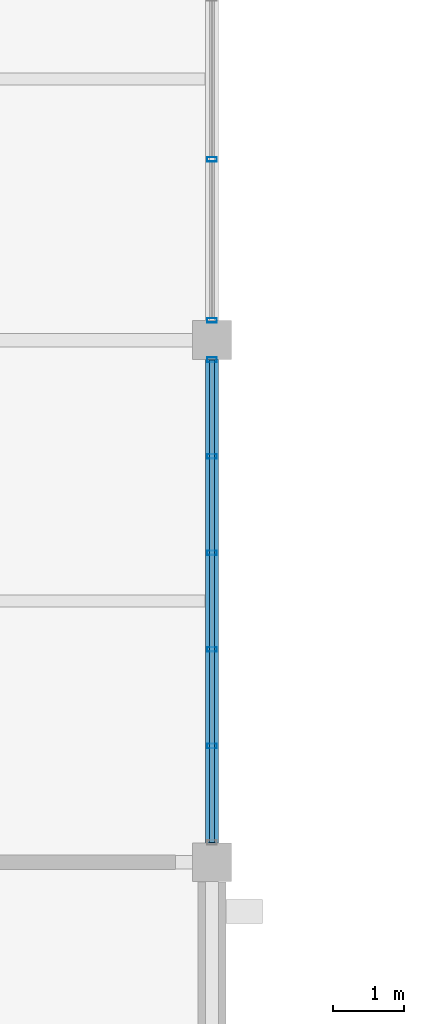
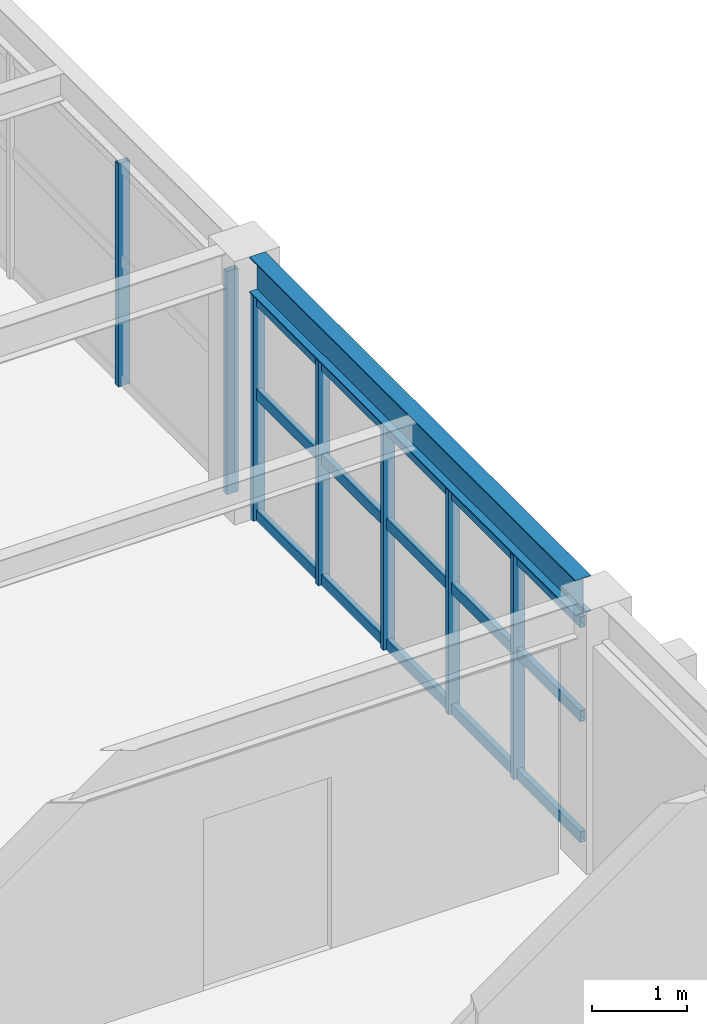
# One storey, part 15 of 93: 10 members, 1 beam, 2 elements without a shape of their own.
"""IFC4 building model written with IfcOpenShell, lengths in metres."""

import ifcopenshell
import ifcopenshell.guid

model = None  # the IFC model being written
_history = None  # IfcOwnerHistory: only IFC2X3 demands one
_inside = {}  # id of a spatial element -> (the spatial element, [elements in it])
_under = {}  # id of a project, library or spatial element -> (it, [spatial elements below it])
_declared = {}  # id of a project -> (the project, [libraries it declares])
_typed = {}  # id of a type object -> (the type object, [elements of that type])
_made_of = {}  # id of a material, layer set ... -> (it, [elements and type objects made of it])


def new_model(schema):
    """Start an empty IFC model of exactly this schema.

    Asked for "IFC4X3", IfcOpenShell would pick the latest addendum, in which some entities
    have other attributes; the version numbers below select the first issue.
    IFC2X3 requires an IfcOwnerHistory on every rooted entity: one is made here for all.
    """
    global model, _history
    if schema == "IFC4X3":
        model = ifcopenshell.file(schema_version=(4, 3, 0, 0))
    else:
        model = ifcopenshell.file(schema=schema)
    _inside.clear()
    _under.clear()
    _declared.clear()
    _typed.clear()
    _made_of.clear()
    _history = None
    if model.schema == "IFC2X3":
        org = make("IfcOrganization", Name="unknown")
        user = make(
            "IfcPersonAndOrganization",
            ThePerson=make("IfcPerson", FamilyName="unknown"),
            TheOrganization=org,
        )
        app = make(
            "IfcApplication",
            ApplicationDeveloper=org,
            Version="unknown",
            ApplicationFullName="unknown",
            ApplicationIdentifier="unknown",
        )
        _history = make(
            "IfcOwnerHistory",
            OwningUser=user,
            OwningApplication=app,
            ChangeAction="ADDED",
            CreationDate=0,
        )
    return model


def make(cls, **values):
    """One entity of the class cls with the attributes given. An attribute that is None is left unset."""
    return model.create_entity(
        cls, **{name: value for name, value in values.items() if value is not None}
    )


def rooted(cls, **values):
    """An entity with a GlobalId (a new one), such as an element, a storey or a relation."""
    return make(cls, GlobalId=ifcopenshell.guid.new(), OwnerHistory=_history, **values)


def si_unit(unit_type, name, prefix=None):
    """IfcSIUnit, for example si_unit("LENGTHUNIT", "METRE", prefix="MILLI")."""
    return make("IfcSIUnit", UnitType=unit_type, Prefix=prefix, Name=name)


def assignment(units):
    """IfcUnitAssignment: the units of a project."""
    return None if units is None else make("IfcUnitAssignment", Units=units)


def point(xyz):
    """IfcCartesianPoint."""
    return None if xyz is None else make("IfcCartesianPoint", Coordinates=xyz)


def direction(xyz):
    """IfcDirection."""
    return None if xyz is None else make("IfcDirection", DirectionRatios=xyz)


def frame(location, z_axis=None, x_axis=None):
    """IfcAxis2Placement3D, a coordinate frame: its origin and axes. An axis left out is left unset."""
    return make(
        "IfcAxis2Placement3D",
        Location=point(location),
        Axis=direction(z_axis),
        RefDirection=direction(x_axis),
    )


def frame_2d(location, x_axis=None):
    """IfcAxis2Placement2D, a coordinate frame in the plane: its origin and x axis."""
    return make(
        "IfcAxis2Placement2D", Location=point(location), RefDirection=direction(x_axis)
    )


def origin():
    """The frame at (0, 0, 0) with its axes left unset."""
    return frame((0.0, 0.0, 0.0))


def origin_2d():
    """The frame at (0, 0) in the plane with its x axis left unset."""
    return frame_2d((0.0, 0.0))


def place(relative_to, where):
    """IfcLocalPlacement: puts the frame where relative to a parent placement (None: the world)."""
    return make(
        "IfcLocalPlacement", PlacementRelTo=relative_to, RelativePlacement=where
    )


def context(
    kind, dimensions, precision=None, world=None, true_north=None, identifier=None
):
    """IfcGeometricRepresentationContext, for example the 3D "Model" context."""
    return make(
        "IfcGeometricRepresentationContext",
        ContextIdentifier=identifier,
        ContextType=kind,
        CoordinateSpaceDimension=dimensions,
        Precision=precision,
        WorldCoordinateSystem=world,
        TrueNorth=true_north,
    )


def subcontext(parent, identifier, kind, view, scale=None):
    """IfcGeometricRepresentationSubContext, for example "Body" below "Model"."""
    return make(
        "IfcGeometricRepresentationSubContext",
        ContextIdentifier=identifier,
        ContextType=kind,
        ParentContext=parent,
        TargetScale=scale,
        TargetView=view,
    )


def project(units=None, contexts=None):
    """IfcProject with its units and contexts."""
    return rooted(
        "IfcProject",
        Name="project",
        RepresentationContexts=contexts,
        UnitsInContext=assignment(units),
    )


def spatial(cls, under=None, at=None, **own):
    """A site, building, storey or space (cls), placed at a placement, below another one or the project."""
    s = rooted(cls, ObjectPlacement=at, **own)
    if under is not None:
        _under.setdefault(under.id(), (under, []))[1].append(s)
    return s


def profile(cls, at=None, kind="AREA", **sizes):
    """A parametric profile (cls). Its sizes go by their IFC names, for example OverallWidth=200.0."""
    return make(cls, ProfileType=kind, Position=at, **sizes)


def hollow_rectangle(**sizes):
    """IfcRectangleHollowProfileDef."""
    return profile("IfcRectangleHollowProfileDef", **sizes)


def i_section(**sizes):
    """IfcIShapeProfileDef."""
    return profile("IfcIShapeProfileDef", **sizes)


def extrude(swept, where, along, depth):
    """IfcExtrudedAreaSolid: the profile swept, set in the frame where, extruded along a direction by depth."""
    return make(
        "IfcExtrudedAreaSolid",
        SweptArea=swept,
        Position=where,
        ExtrudedDirection=direction(along),
        Depth=depth,
    )


def shape(context_of_items, identifier, shape_type, items):
    """IfcShapeRepresentation: the items that make up one representation, for example the "Body"."""
    return make(
        "IfcShapeRepresentation",
        ContextOfItems=context_of_items,
        RepresentationIdentifier=identifier,
        RepresentationType=shape_type,
        Items=items,
    )


def material(Name=None, Category=None):
    """IfcMaterial."""
    return make("IfcMaterial", Name=Name, Category=Category)


def material_profile(
    of_material, cross_section, Name=None, Category=None, Priority=None
):
    """IfcMaterialProfile: a cross section and its material."""
    return make(
        "IfcMaterialProfile",
        Name=Name,
        Material=of_material,
        Profile=cross_section,
        Priority=Priority,
        Category=Category,
    )


def profile_set(profiles, Name=None, composite=None):
    """IfcMaterialProfileSet."""
    return make(
        "IfcMaterialProfileSet",
        Name=Name,
        MaterialProfiles=profiles,
        CompositeProfile=composite,
    )


def made_of(thing, what):
    """Note that an element or type object is made of a material, layer set ...; save() writes the relation."""
    if what is not None:
        _made_of.setdefault(what.id(), (what, []))[1].append(thing)
    return thing


def type_object(cls, material=None, **own):
    """A type object (cls), such as IfcWallType, which elements share."""
    return made_of(rooted(cls, **own), material)


def element(
    cls,
    number,
    at=None,
    inside=None,
    cuts=None,
    type_object=None,
    material=None,
    context=None,
    identifier="Body",
    shape_type=None,
    held_by="IfcProductDefinitionShape",
    body=None,
    shapes=None,
    **own,
):
    """One element of the class cls, such as IfcWall. Its Tag is "e" and its number.

    at: its placement. inside: the storey or other place that contains it. cuts: it is an
    opening in that element (IfcRelVoidsElement). A single representation is given by context,
    identifier, shape_type and body (its items); several are given by shapes. held_by: the class
    of the entity that holds the representations. save() writes the other relations.
    """
    e = rooted(cls, Tag="e%d" % number, ObjectPlacement=at, **own)
    if body is not None:
        shapes = [shape(context, identifier, shape_type, body)]
    if shapes is not None:
        e.Representation = make(held_by, Representations=shapes)
    if inside is not None:
        _inside.setdefault(inside.id(), (inside, []))[1].append(e)
    if cuts is not None:
        rooted(
            "IfcRelVoidsElement", RelatingBuildingElement=cuts, RelatedOpeningElement=e
        )
    if type_object is not None:
        _typed.setdefault(type_object.id(), (type_object, []))[1].append(e)
    return made_of(e, material)


def aggregate(whole, parts):
    """IfcRelAggregates: a whole, such as a stair, and the parts it consists of."""
    return rooted("IfcRelAggregates", RelatingObject=whole, RelatedObjects=parts)


def save(model, path):
    """Write the relations noted so far, then the file.

    IfcRelAggregates (storeys below a building ...), IfcRelContainedInSpatialStructure (elements
    in a storey), IfcRelDefinesByType, IfcRelAssociatesMaterial and IfcRelDeclares: one each for
    every whole, place, type object, material and project.
    """
    for whole, parts in _under.values():
        aggregate(whole, parts)
    for where, things in _inside.values():
        rooted(
            "IfcRelContainedInSpatialStructure",
            RelatedElements=things,
            RelatingStructure=where,
        )
    for kind, things in _typed.values():
        rooted("IfcRelDefinesByType", RelatedObjects=things, RelatingType=kind)
    for what, things in _made_of.values():
        rooted("IfcRelAssociatesMaterial", RelatedObjects=things, RelatingMaterial=what)
    for by, libraries in _declared.values():
        rooted("IfcRelDeclares", RelatingContext=by, RelatedDefinitions=libraries)
    model.write(path)


model = new_model("IFC4")

# Units and contexts
model_context = context("Model", 3, precision=1e-05, world=origin(), true_north=direction((0.0, 1.0)))
body_context = subcontext(model_context, "Body", "Model", "MODEL_VIEW")
ifc_project = project(units=[si_unit("LENGTHUNIT", "METRE"), si_unit("AREAUNIT", "SQUARE_METRE"), si_unit("VOLUMEUNIT", "CUBIC_METRE"), si_unit("PLANEANGLEUNIT", "RADIAN"), si_unit("MASSUNIT", "GRAM", prefix="KILO")], contexts=[model_context])

# Site, building, storey
site_placement = place(None, origin())
site = spatial("IfcSite", under=ifc_project, at=site_placement, CompositionType="ELEMENT")
building_placement = place(site_placement, origin())
building = spatial("IfcBuilding", under=site, at=building_placement, Name="Cimatlan Art Gallery", CompositionType="ELEMENT")
storey_placement = place(building_placement, frame((0.0, 0.0, 13.800048828125)))
storey = spatial("IfcBuildingStorey", under=building, at=storey_placement, Name="L03", CompositionType="ELEMENT", Elevation=13.800048828125)

# Beam
ifc_material_1 = material(Name="Steel ASTM A992 Grade 50", Category="steel")
ifc_material_profile_1 = material_profile(ifc_material_1, i_section(OverallWidth=0.19091796875, OverallDepth=0.45703125, WebThickness=0.009033203125, FlangeThickness=0.014404296875, at=origin_2d()), Name="W18X50")
ifc_profile_set_1 = profile_set([ifc_material_profile_1], Name="Steel ASTM A992 Grade 50")
beam_type = type_object("IfcBeamType", Name="BM-STL-W18X50", PredefinedType="BEAM", material=ifc_profile_set_1)
beam_placement = place(storey_placement, frame((50.60009765625, 38.97509765625, 3.1513671875), z_axis=(0.0, 1.0, 0.0), x_axis=(-1.0, 0.0, 0.0)))
element("IfcBeam", 1, at=beam_placement, inside=storey, type_object=beam_type, Name="BM-Y-L03-06-05", PredefinedType="BEAM", context=body_context, shape_type="SweptSolid", body=[
    extrude(i_section(OverallWidth=0.19091796875, OverallDepth=0.45703125, WebThickness=0.009033203125, FlangeThickness=0.014404296875, at=origin_2d()), origin(), (0.0, 0.0, 1.0), 6.849853515625),
])

# Curtain wall, members
ifc_material_2 = material(Name="Anodised bronze unitised curtain wall")
curtain_wall_type_1 = type_object("IfcCurtainWallType", Name="CW-V-06842X02878-B5", PredefinedType="NOTDEFINED", material=ifc_material_2)
curtain_wall_1_placement = place(storey_placement, origin())
curtain_wall_1 = element("IfcCurtainWall", 2, at=curtain_wall_1_placement, inside=storey, type_object=curtain_wall_type_1, Name="CW-L03-05-05-E", PredefinedType="NOTDEFINED")
ifc_material_3 = material(Name="Anodised bronze aluminium 6063-T6", Category="aluminium")
ifc_material_profile_2 = material_profile(ifc_material_3, hollow_rectangle(XDim=0.06494140625, YDim=0.139892578125, WallThickness=0.00390625, at=origin_2d()), Name="ALU65X140X4")
ifc_profile_set_2 = profile_set([ifc_material_profile_2], Name="Anodised bronze aluminium 6063-T6")
member_type_1 = type_object("IfcMemberType", Name="CW-MUL-140", PredefinedType="MULLION", material=ifc_profile_set_2)
member_1_placement = place(storey_placement, frame((50.60009765625, 45.821044921875, 0.0), z_axis=(0.0, 0.0, 1.0), x_axis=(0.0, 1.0, 0.0)))
member_1 = element("IfcMember", 3, at=member_1_placement, type_object=member_type_1, Name="CW-L03-05-05-E-M1", PredefinedType="MULLION", context=body_context, shape_type="SweptSolid", body=[
    extrude(hollow_rectangle(XDim=0.06494140625, YDim=0.139892578125, WallThickness=0.00390625, at=origin_2d()), origin(), (0.0, 0.0, 1.0), 2.8779296875),
])
member_2_placement = place(storey_placement, frame((50.60009765625, 44.45263671875, 0.0), z_axis=(0.0, 0.0, 1.0), x_axis=(0.0, 1.0, 0.0)))
member_2 = element("IfcMember", 4, at=member_2_placement, type_object=member_type_1, Name="CW-L03-05-05-E-M2", PredefinedType="MULLION", context=body_context, shape_type="SweptSolid", body=[
    extrude(hollow_rectangle(XDim=0.06494140625, YDim=0.139892578125, WallThickness=0.00390625, at=origin_2d()), origin(), (0.0, 0.0, 1.0), 2.8779296875),
])
member_3_placement = place(storey_placement, frame((50.60009765625, 43.084228515625, 0.0), z_axis=(0.0, 0.0, 1.0), x_axis=(0.0, 1.0, 0.0)))
member_3 = element("IfcMember", 5, at=member_3_placement, type_object=member_type_1, Name="CW-L03-05-05-E-M3", PredefinedType="MULLION", context=body_context, shape_type="SweptSolid", body=[
    extrude(hollow_rectangle(XDim=0.06494140625, YDim=0.139892578125, WallThickness=0.00390625, at=origin_2d()), origin(), (0.0, 0.0, 1.0), 2.8779296875),
])
member_4_placement = place(storey_placement, frame((50.60009765625, 41.7158203125, 0.0), z_axis=(0.0, 0.0, 1.0), x_axis=(0.0, 1.0, 0.0)))
member_4 = element("IfcMember", 6, at=member_4_placement, type_object=member_type_1, Name="CW-L03-05-05-E-M4", PredefinedType="MULLION", context=body_context, shape_type="SweptSolid", body=[
    extrude(hollow_rectangle(XDim=0.06494140625, YDim=0.139892578125, WallThickness=0.00390625, at=origin_2d()), origin(), (0.0, 0.0, 1.0), 2.8779296875),
])
member_5_placement = place(storey_placement, frame((50.60009765625, 40.347412109375, 0.0), z_axis=(0.0, 0.0, 1.0), x_axis=(0.0, 1.0, 0.0)))
member_5 = element("IfcMember", 7, at=member_5_placement, type_object=member_type_1, Name="CW-L03-05-05-E-M5", PredefinedType="MULLION", context=body_context, shape_type="SweptSolid", body=[
    extrude(hollow_rectangle(XDim=0.06494140625, YDim=0.139892578125, WallThickness=0.00390625, at=origin_2d()), origin(), (0.0, 0.0, 1.0), 2.8779296875),
])

curtain_wall_type_2 = type_object("IfcCurtainWallType", Name="CW-V-06842X02863-B3", PredefinedType="NOTDEFINED", material=ifc_material_2)
curtain_wall_2_placement = place(storey_placement, origin())
curtain_wall_2 = element("IfcCurtainWall", 8, at=curtain_wall_2_placement, inside=storey, type_object=curtain_wall_type_2, Name="CW-L03-05-06-E", PredefinedType="NOTDEFINED")
member_6_placement = place(storey_placement, frame((50.60009765625, 48.65966796875, 0.0), z_axis=(0.0, 0.0, 1.0), x_axis=(0.0, 1.0, 0.0)))
member_6 = element("IfcMember", 9, at=member_6_placement, type_object=member_type_1, Name="CW-L03-05-06-E-M3", PredefinedType="MULLION", context=body_context, shape_type="SweptSolid", body=[
    extrude(hollow_rectangle(XDim=0.06494140625, YDim=0.139892578125, WallThickness=0.00390625, at=origin_2d()), origin(), (0.0, 0.0, 1.0), 2.863037109375),
])
member_7_placement = place(storey_placement, frame((50.60009765625, 46.37890625, 0.0), z_axis=(0.0, 0.0, 1.0), x_axis=(0.0, 1.0, 0.0)))
member_7 = element("IfcMember", 10, at=member_7_placement, type_object=member_type_1, Name="CW-L03-05-06-E-M4", PredefinedType="MULLION", context=body_context, shape_type="SweptSolid", body=[
    extrude(hollow_rectangle(XDim=0.06494140625, YDim=0.139892578125, WallThickness=0.00390625, at=origin_2d()), origin(), (0.0, 0.0, 1.0), 2.863037109375),
])
aggregate(curtain_wall_2, [member_6, member_7])

# Member
ifc_material_profile_3 = material_profile(ifc_material_3, hollow_rectangle(XDim=0.06494140625, YDim=0.139892578125, WallThickness=0.00390625, at=origin_2d()), Name="ALU65X140X4")
ifc_profile_set_3 = profile_set([ifc_material_profile_3], Name="Anodised bronze aluminium 6063-T6")
member_type_2 = type_object("IfcMemberType", Name="CW-TRN-140", PredefinedType="USERDEFINED", material=ifc_profile_set_3)
member_8_placement = place(storey_placement, frame((50.60009765625, 45.821044921875, 0.06005859375), z_axis=(0.0, -1.0, 0.0), x_axis=(1.0, 0.0, 0.0)))
member_8 = element("IfcMember", 11, at=member_8_placement, type_object=member_type_2, Name="CW-L03-05-05-E-T1", ObjectType="TRANSOM", PredefinedType="USERDEFINED", context=body_context, shape_type="SweptSolid", body=[
    extrude(hollow_rectangle(XDim=0.06494140625, YDim=0.139892578125, WallThickness=0.00390625, at=origin_2d()), origin(), (0.0, 0.0, 1.0), 6.842041015625),
])

member_9_placement = place(storey_placement, frame((50.60009765625, 45.821044921875, 1.611572265625), z_axis=(0.0, -1.0, 0.0), x_axis=(1.0, 0.0, 0.0)))
member_9 = element("IfcMember", 12, at=member_9_placement, type_object=member_type_2, Name="CW-L03-05-05-E-T2", ObjectType="TRANSOM", PredefinedType="USERDEFINED", context=body_context, shape_type="SweptSolid", body=[
    extrude(hollow_rectangle(XDim=0.06494140625, YDim=0.139892578125, WallThickness=0.00390625, at=origin_2d()), origin(), (0.0, 0.0, 1.0), 6.842041015625),
])

member_10_placement = place(storey_placement, frame((50.60009765625, 45.821044921875, 2.81787109375), z_axis=(0.0, -1.0, 0.0), x_axis=(1.0, 0.0, 0.0)))
member_10 = element("IfcMember", 13, at=member_10_placement, type_object=member_type_2, Name="CW-L03-05-05-E-T3", ObjectType="TRANSOM", PredefinedType="USERDEFINED", context=body_context, shape_type="SweptSolid", body=[
    extrude(hollow_rectangle(XDim=0.06494140625, YDim=0.139892578125, WallThickness=0.00390625, at=origin_2d()), origin(), (0.0, 0.0, 1.0), 6.842041015625),
])

aggregate(curtain_wall_1, [member_1, member_2, member_3, member_4, member_5, member_8, member_9, member_10])

save(model, "model.ifc")
